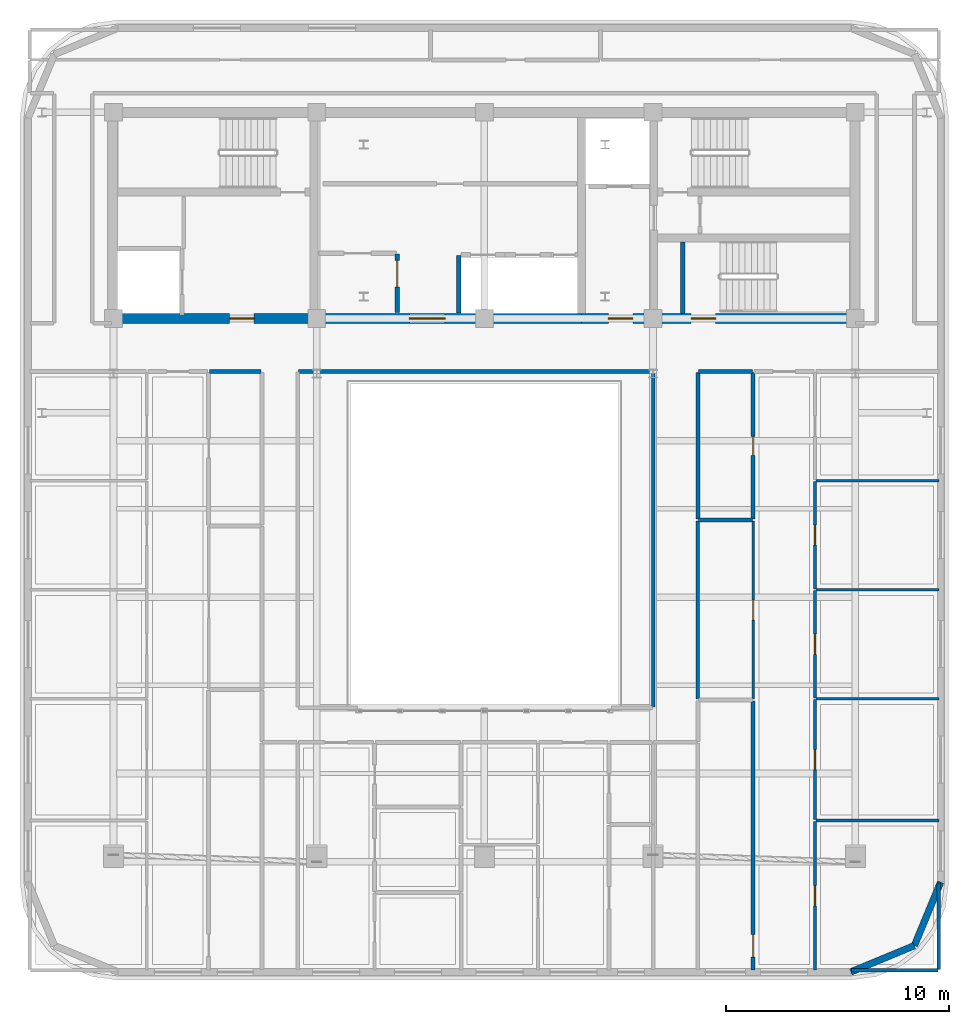
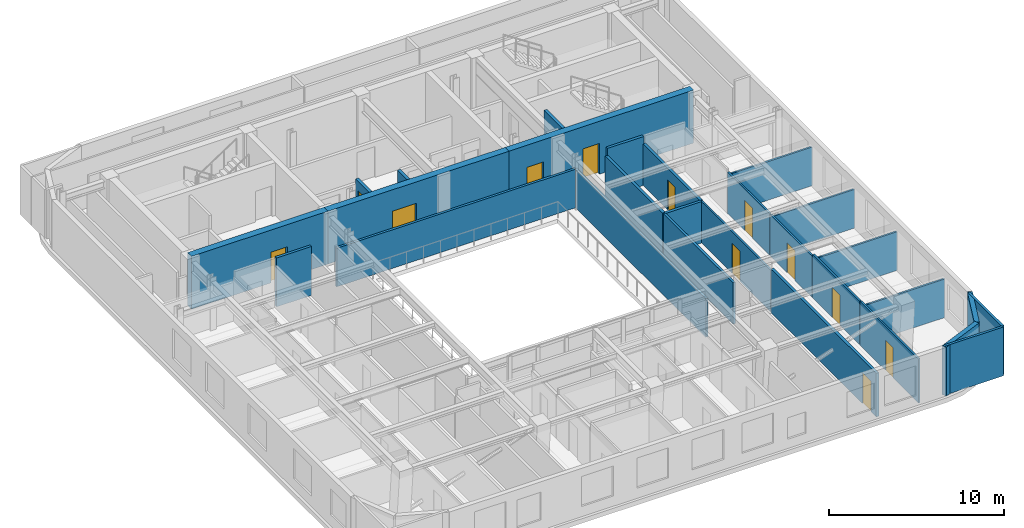
# One storey, part 8 of 13: 28 walls, 12 doors, 12 openings.
"""IFC4 building model written with IfcOpenShell, lengths in metres."""

import ifcopenshell
import ifcopenshell.guid

model = None  # the IFC model being written
_history = None  # IfcOwnerHistory: only IFC2X3 demands one
_inside = {}  # id of a spatial element -> (the spatial element, [elements in it])
_under = {}  # id of a project, library or spatial element -> (it, [spatial elements below it])
_declared = {}  # id of a project -> (the project, [libraries it declares])
_typed = {}  # id of a type object -> (the type object, [elements of that type])
_made_of = {}  # id of a material, layer set ... -> (it, [elements and type objects made of it])


def new_model(schema):
    """Start an empty IFC model of exactly this schema.

    Asked for "IFC4X3", IfcOpenShell would pick the latest addendum, in which some entities
    have other attributes; the version numbers below select the first issue.
    IFC2X3 requires an IfcOwnerHistory on every rooted entity: one is made here for all.
    """
    global model, _history
    if schema == "IFC4X3":
        model = ifcopenshell.file(schema_version=(4, 3, 0, 0))
    else:
        model = ifcopenshell.file(schema=schema)
    _inside.clear()
    _under.clear()
    _declared.clear()
    _typed.clear()
    _made_of.clear()
    _history = None
    if model.schema == "IFC2X3":
        org = make("IfcOrganization", Name="unknown")
        user = make(
            "IfcPersonAndOrganization",
            ThePerson=make("IfcPerson", FamilyName="unknown"),
            TheOrganization=org,
        )
        app = make(
            "IfcApplication",
            ApplicationDeveloper=org,
            Version="unknown",
            ApplicationFullName="unknown",
            ApplicationIdentifier="unknown",
        )
        _history = make(
            "IfcOwnerHistory",
            OwningUser=user,
            OwningApplication=app,
            ChangeAction="ADDED",
            CreationDate=0,
        )
    return model


def make(cls, **values):
    """One entity of the class cls with the attributes given. An attribute that is None is left unset."""
    return model.create_entity(
        cls, **{name: value for name, value in values.items() if value is not None}
    )


def rooted(cls, **values):
    """An entity with a GlobalId (a new one), such as an element, a storey or a relation."""
    return make(cls, GlobalId=ifcopenshell.guid.new(), OwnerHistory=_history, **values)


def si_unit(unit_type, name, prefix=None):
    """IfcSIUnit, for example si_unit("LENGTHUNIT", "METRE", prefix="MILLI")."""
    return make("IfcSIUnit", UnitType=unit_type, Prefix=prefix, Name=name)


def assignment(units):
    """IfcUnitAssignment: the units of a project."""
    return None if units is None else make("IfcUnitAssignment", Units=units)


def point(xyz):
    """IfcCartesianPoint."""
    return None if xyz is None else make("IfcCartesianPoint", Coordinates=xyz)


def direction(xyz):
    """IfcDirection."""
    return None if xyz is None else make("IfcDirection", DirectionRatios=xyz)


def frame(location, z_axis=None, x_axis=None):
    """IfcAxis2Placement3D, a coordinate frame: its origin and axes. An axis left out is left unset."""
    return make(
        "IfcAxis2Placement3D",
        Location=point(location),
        Axis=direction(z_axis),
        RefDirection=direction(x_axis),
    )


def frame_2d(location, x_axis=None):
    """IfcAxis2Placement2D, a coordinate frame in the plane: its origin and x axis."""
    return make(
        "IfcAxis2Placement2D", Location=point(location), RefDirection=direction(x_axis)
    )


def origin():
    """The frame at (0, 0, 0) with its axes left unset."""
    return frame((0.0, 0.0, 0.0))


def place(relative_to, where):
    """IfcLocalPlacement: puts the frame where relative to a parent placement (None: the world)."""
    return make(
        "IfcLocalPlacement", PlacementRelTo=relative_to, RelativePlacement=where
    )


def context(
    kind, dimensions, precision=None, world=None, true_north=None, identifier=None
):
    """IfcGeometricRepresentationContext, for example the 3D "Model" context."""
    return make(
        "IfcGeometricRepresentationContext",
        ContextIdentifier=identifier,
        ContextType=kind,
        CoordinateSpaceDimension=dimensions,
        Precision=precision,
        WorldCoordinateSystem=world,
        TrueNorth=true_north,
    )


def subcontext(parent, identifier, kind, view, scale=None):
    """IfcGeometricRepresentationSubContext, for example "Body" below "Model"."""
    return make(
        "IfcGeometricRepresentationSubContext",
        ContextIdentifier=identifier,
        ContextType=kind,
        ParentContext=parent,
        TargetScale=scale,
        TargetView=view,
    )


def project(units=None, contexts=None):
    """IfcProject with its units and contexts."""
    return rooted(
        "IfcProject",
        Name="project",
        RepresentationContexts=contexts,
        UnitsInContext=assignment(units),
    )


def spatial(cls, under=None, at=None, **own):
    """A site, building, storey or space (cls), placed at a placement, below another one or the project."""
    s = rooted(cls, ObjectPlacement=at, **own)
    if under is not None:
        _under.setdefault(under.id(), (under, []))[1].append(s)
    return s


def profile(cls, at=None, kind="AREA", **sizes):
    """A parametric profile (cls). Its sizes go by their IFC names, for example OverallWidth=200.0."""
    return make(cls, ProfileType=kind, Position=at, **sizes)


def rectangle(**sizes):
    """IfcRectangleProfileDef."""
    return profile("IfcRectangleProfileDef", **sizes)


def extrude(swept, where, along, depth):
    """IfcExtrudedAreaSolid: the profile swept, set in the frame where, extruded along a direction by depth."""
    return make(
        "IfcExtrudedAreaSolid",
        SweptArea=swept,
        Position=where,
        ExtrudedDirection=direction(along),
        Depth=depth,
    )


def shape(context_of_items, identifier, shape_type, items):
    """IfcShapeRepresentation: the items that make up one representation, for example the "Body"."""
    return make(
        "IfcShapeRepresentation",
        ContextOfItems=context_of_items,
        RepresentationIdentifier=identifier,
        RepresentationType=shape_type,
        Items=items,
    )


def material(Name=None, Category=None):
    """IfcMaterial."""
    return make("IfcMaterial", Name=Name, Category=Category)


def layer(
    of_material, thickness, ventilated=None, Name=None, Category=None, Priority=None
):
    """IfcMaterialLayer: one layer of a wall or slab, of a material (None: an air gap)."""
    return make(
        "IfcMaterialLayer",
        Material=of_material,
        LayerThickness=thickness,
        IsVentilated=ventilated,
        Name=Name,
        Category=Category,
        Priority=Priority,
    )


def layer_set(layers, Name=None):
    """IfcMaterialLayerSet."""
    return make("IfcMaterialLayerSet", MaterialLayers=layers, LayerSetName=Name)


def made_of(thing, what):
    """Note that an element or type object is made of a material, layer set ...; save() writes the relation."""
    if what is not None:
        _made_of.setdefault(what.id(), (what, []))[1].append(thing)
    return thing


def type_object(cls, material=None, **own):
    """A type object (cls), such as IfcWallType, which elements share."""
    return made_of(rooted(cls, **own), material)


def element(
    cls,
    number,
    at=None,
    inside=None,
    cuts=None,
    type_object=None,
    material=None,
    context=None,
    identifier="Body",
    shape_type=None,
    held_by="IfcProductDefinitionShape",
    body=None,
    shapes=None,
    **own,
):
    """One element of the class cls, such as IfcWall. Its Tag is "e" and its number.

    at: its placement. inside: the storey or other place that contains it. cuts: it is an
    opening in that element (IfcRelVoidsElement). A single representation is given by context,
    identifier, shape_type and body (its items); several are given by shapes. held_by: the class
    of the entity that holds the representations. save() writes the other relations.
    """
    e = rooted(cls, Tag="e%d" % number, ObjectPlacement=at, **own)
    if body is not None:
        shapes = [shape(context, identifier, shape_type, body)]
    if shapes is not None:
        e.Representation = make(held_by, Representations=shapes)
    if inside is not None:
        _inside.setdefault(inside.id(), (inside, []))[1].append(e)
    if cuts is not None:
        rooted(
            "IfcRelVoidsElement", RelatingBuildingElement=cuts, RelatedOpeningElement=e
        )
    if type_object is not None:
        _typed.setdefault(type_object.id(), (type_object, []))[1].append(e)
    return made_of(e, material)


def fill(opening, filler):
    """IfcRelFillsElement: the door or window that sits in an opening."""
    return rooted(
        "IfcRelFillsElement",
        RelatingOpeningElement=opening,
        RelatedBuildingElement=filler,
    )


def aggregate(whole, parts):
    """IfcRelAggregates: a whole, such as a stair, and the parts it consists of."""
    return rooted("IfcRelAggregates", RelatingObject=whole, RelatedObjects=parts)


def save(model, path):
    """Write the relations noted so far, then the file.

    IfcRelAggregates (storeys below a building ...), IfcRelContainedInSpatialStructure (elements
    in a storey), IfcRelDefinesByType, IfcRelAssociatesMaterial and IfcRelDeclares: one each for
    every whole, place, type object, material and project.
    """
    for whole, parts in _under.values():
        aggregate(whole, parts)
    for where, things in _inside.values():
        rooted(
            "IfcRelContainedInSpatialStructure",
            RelatedElements=things,
            RelatingStructure=where,
        )
    for kind, things in _typed.values():
        rooted("IfcRelDefinesByType", RelatedObjects=things, RelatingType=kind)
    for what, things in _made_of.values():
        rooted("IfcRelAssociatesMaterial", RelatedObjects=things, RelatingMaterial=what)
    for by, libraries in _declared.values():
        rooted("IfcRelDeclares", RelatingContext=by, RelatedDefinitions=libraries)
    model.write(path)


model = new_model("IFC4")

# Units and contexts
model_context = context("Model", 3, precision=1e-05, world=origin(), true_north=direction((0.0, 1.0)))
body_context = subcontext(model_context, "Body", "Model", "MODEL_VIEW")
ifc_project = project(units=[si_unit("LENGTHUNIT", "METRE"), si_unit("AREAUNIT", "SQUARE_METRE"), si_unit("VOLUMEUNIT", "CUBIC_METRE"), si_unit("PLANEANGLEUNIT", "RADIAN"), si_unit("MASSUNIT", "GRAM", prefix="KILO")], contexts=[model_context])

# Site, building, storey
site_placement = place(None, origin())
site = spatial("IfcSite", under=ifc_project, at=site_placement, CompositionType="ELEMENT")
building_placement = place(site_placement, origin())
building = spatial("IfcBuilding", under=site, at=building_placement, Name="Zarnavel Station Tower", CompositionType="ELEMENT")
storey_placement = place(building_placement, frame((0.0, 0.0, 247.300048828125)))
storey = spatial("IfcBuildingStorey", under=building, at=storey_placement, Name="L67", CompositionType="ELEMENT", Elevation=247.300048828125)

# Wall, opening, door
ifc_material_1 = material(Name="Concrete C50/60", Category="concrete")
ifc_layer_1 = layer(ifc_material_1, 0.449951171875)
ifc_layer_set_1 = layer_set([ifc_layer_1], Name="CW_450")
wall_type_1 = type_object("IfcWallType", Name="CW_450", PredefinedType="SHEAR", material=ifc_layer_set_1)
wall_1_placement = place(storey_placement, frame((21.179931640625, 27.820068359375, 0.0), z_axis=(0.0, 0.0, 1.0), x_axis=(-1.0, 0.0, 0.0)))
wall_1 = element("IfcWall", 1, at=wall_1_placement, inside=storey, type_object=wall_type_1, Name="L67 Rear Core Shear Wall S-W", PredefinedType="SHEAR", context=body_context, shape_type="SweptSolid", body=[
    extrude(rectangle(XDim=9.030029296875, YDim=0.449951171875, at=frame_2d((4.51513671875, 0.0))), origin(), (0.0, 0.0, 1.0), 3.699951171875),
])
opening_1_placement = place(wall_1_placement, frame((2.679931640625, 0.0, 0.0)))
opening_1 = element("IfcOpeningElement", 2, at=opening_1_placement, cuts=wall_1, Name="Opening FD01", PredefinedType="OPENING", context=body_context, shape_type="SweptSolid", body=[
    extrude(rectangle(XDim=1.10009765625, YDim=2.14990234375, at=frame_2d((0.550048828125, 1.074951171875))), frame((0.0, 0.23486328125, 0.0), z_axis=(0.0, -1.0, 0.0), x_axis=(1.0, 0.0, 0.0)), (0.0, 0.0, 1.0), 0.469970703125),
])
ifc_material_2 = material(Name="Painted Galvanised Steel and Hardwood Leaf", Category="steel")
door_type_1 = type_object("IfcDoorType", Name="ID_STAIR_1100", OperationType="NOTDEFINED", PredefinedType="DOOR", material=ifc_material_2)
door_1_placement = place(opening_1_placement, origin())
door_1 = element("IfcDoor", 3, at=door_1_placement, inside=storey, type_object=door_type_1, Name="L67 West Firefighting Lobby Door", OperationType="SINGLE_SWING_RIGHT", OverallHeight=2.14990234375, OverallWidth=1.10009765625, PredefinedType="DOOR", context=body_context, shape_type="SweptSolid", body=[
    extrude(rectangle(XDim=1.10009765625, YDim=2.14990234375, at=frame_2d((0.550048828125, 1.074951171875))), frame((0.0, 0.02490234375, 0.0), z_axis=(0.0, -1.0, 0.0), x_axis=(1.0, 0.0, 0.0)), (0.0, 0.0, 1.0), 0.050048828125),
])
fill(opening_1, door_1)

wall_2_placement = place(storey_placement, frame((33.14990234375, 27.820068359375, 0.0), z_axis=(0.0, 0.0, 1.0), x_axis=(-1.0, 0.0, 0.0)))
wall_2 = element("IfcWall", 4, at=wall_2_placement, inside=storey, type_object=wall_type_1, Name="L67 Rear Core Shear Wall S-M", PredefinedType="SHEAR", context=body_context, shape_type="SweptSolid", body=[
    extrude(rectangle(XDim=11.969970703125, YDim=0.449951171875, at=frame_2d((5.98486328125, 0.0))), origin(), (0.0, 0.0, 1.0), 3.699951171875),
])
opening_2_placement = place(wall_2_placement, frame((6.10009765625, 0.0, 0.0)))
opening_2 = element("IfcOpeningElement", 5, at=opening_2_placement, cuts=wall_2, Name="Opening ID03", PredefinedType="OPENING", context=body_context, shape_type="SweptSolid", body=[
    extrude(rectangle(XDim=1.60009765625, YDim=2.199951171875, at=frame_2d((0.800048828125, 1.10009765625))), frame((0.0, 0.23486328125, 0.0), z_axis=(0.0, -1.0, 0.0), x_axis=(1.0, 0.0, 0.0)), (0.0, 0.0, 1.0), 0.469970703125),
])
ifc_material_3 = material(Name="Painted Galvanised Steel and Hardwood Leaf", Category="steel")
door_type_2 = type_object("IfcDoorType", Name="ID_PUBLIC_1600", OperationType="DOUBLE_DOOR_SINGLE_SWING", PredefinedType="DOOR", material=ifc_material_3)
door_2_placement = place(opening_2_placement, origin())
door_2 = element("IfcDoor", 6, at=door_2_placement, inside=storey, type_object=door_type_2, Name="L67 Passenger Lift Lobby Double Door", OperationType="SINGLE_SWING_LEFT", OverallHeight=2.199951171875, OverallWidth=1.60009765625, PredefinedType="DOOR", context=body_context, shape_type="SweptSolid", body=[
    extrude(rectangle(XDim=1.60009765625, YDim=2.199951171875, at=frame_2d((0.800048828125, 1.10009765625))), frame((0.0, 0.02490234375, 0.0), z_axis=(0.0, -1.0, 0.0), x_axis=(1.0, 0.0, 0.0)), (0.0, 0.0, 1.0), 0.050048828125),
])
fill(opening_2, door_2)

# Wall, openings, doors
wall_3_placement = place(storey_placement, frame((45.3798828125, 27.820068359375, 0.0), z_axis=(0.0, 0.0, 1.0), x_axis=(-1.0, 0.0, 0.0)))
wall_3 = element("IfcWall", 7, at=wall_3_placement, inside=storey, type_object=wall_type_1, Name="L67 Rear Core Shear Wall S-E", PredefinedType="SHEAR", context=body_context, shape_type="SweptSolid", body=[
    extrude(rectangle(XDim=12.22998046875, YDim=0.449951171875, at=frame_2d((6.114990234375, 0.0))), origin(), (0.0, 0.0, 1.0), 3.699951171875),
])
opening_3_placement = place(wall_3_placement, frame((9.929931640625, 0.0, 0.0)))
opening_3 = element("IfcOpeningElement", 8, at=opening_3_placement, cuts=wall_3, Name="Opening FD01", PredefinedType="OPENING", context=body_context, shape_type="SweptSolid", body=[
    extrude(rectangle(XDim=1.10009765625, YDim=2.14990234375, at=frame_2d((0.550048828125, 1.074951171875))), frame((0.0, 0.23486328125, 0.0), z_axis=(0.0, -1.0, 0.0), x_axis=(1.0, 0.0, 0.0)), (0.0, 0.0, 1.0), 0.469970703125),
])
opening_4_placement = place(wall_3_placement, frame((6.22998046875, 0.0, 0.0)))
opening_4 = element("IfcOpeningElement", 9, at=opening_4_placement, cuts=wall_3, Name="Opening FD01", PredefinedType="OPENING", context=body_context, shape_type="SweptSolid", body=[
    extrude(rectangle(XDim=1.10009765625, YDim=2.14990234375, at=frame_2d((0.550048828125, 1.074951171875))), frame((0.0, 0.23486328125, 0.0), z_axis=(0.0, -1.0, 0.0), x_axis=(1.0, 0.0, 0.0)), (0.0, 0.0, 1.0), 0.469970703125),
])
door_3_placement = place(opening_3_placement, origin())
door_3 = element("IfcDoor", 10, at=door_3_placement, inside=storey, type_object=door_type_1, Name="L67 East Firefighting Lobby Door", OperationType="SINGLE_SWING_LEFT", OverallHeight=2.14990234375, OverallWidth=1.10009765625, PredefinedType="DOOR", context=body_context, shape_type="SweptSolid", body=[
    extrude(rectangle(XDim=1.10009765625, YDim=2.14990234375, at=frame_2d((0.550048828125, 1.074951171875))), frame((0.0, 0.02490234375, 0.0), z_axis=(0.0, -1.0, 0.0), x_axis=(1.0, 0.0, 0.0)), (0.0, 0.0, 1.0), 0.050048828125),
])
fill(opening_3, door_3)
door_4_placement = place(opening_4_placement, origin())
door_4 = element("IfcDoor", 11, at=door_4_placement, inside=storey, type_object=door_type_1, Name="L67 Stair ST3 Corridor Fire Door", OperationType="SINGLE_SWING_RIGHT", OverallHeight=2.14990234375, OverallWidth=1.10009765625, PredefinedType="DOOR", context=body_context, shape_type="SweptSolid", body=[
    extrude(rectangle(XDim=1.10009765625, YDim=2.14990234375, at=frame_2d((0.550048828125, 1.074951171875))), frame((0.0, 0.02490234375, 0.0), z_axis=(0.0, -1.0, 0.0), x_axis=(1.0, 0.0, 0.0)), (0.0, 0.0, 1.0), 0.050048828125),
])
fill(opening_4, door_4)

# Walls
ifc_material_4 = material(Name="Precast concrete C45/55 (Dark Basalt Finish)", Category="masonry")
ifc_layer_2 = layer(ifc_material_4, 0.300048828125)
ifc_layer_set_2 = layer_set([ifc_layer_2], Name="EW_BASALT_300")
wall_type_2 = type_object("IfcWallType", Name="EW_BASALT_300", PredefinedType="SOLIDWALL", material=ifc_layer_set_2)
wall_4_placement = place(storey_placement, frame((48.04248046875, -0.24267578125, 0.0), z_axis=(0.0, 0.0, 1.0), x_axis=(-0.92389884758, -0.382636798336, 0.0)))
element("IfcWall", 12, at=wall_4_placement, inside=storey, type_object=wall_type_2, Name="L67 Exterior Basalt Masonry Frame Wall 01", PredefinedType="SOLIDWALL", context=body_context, shape_type="SweptSolid", body=[
    extrude(rectangle(XDim=3.07666015625, YDim=0.300048828125, at=frame_2d((1.538330078125, 0.0))), origin(), (0.0, 0.0, 1.0), 3.419921875),
])
wall_5_placement = place(storey_placement, frame((49.219970703125, 2.60009765625, 0.0), z_axis=(0.0, 0.0, 1.0), x_axis=(-0.382676475685, -0.923882414032, 0.0)))
element("IfcWall", 13, at=wall_5_placement, inside=storey, type_object=wall_type_2, Name="L67 Exterior Basalt Masonry Frame Wall 02", PredefinedType="SOLIDWALL", context=body_context, shape_type="SweptSolid", body=[
    extrude(rectangle(XDim=3.076904296875, YDim=0.300048828125, at=frame_2d((1.53857421875, 0.0))), origin(), (0.0, 0.0, 1.0), 3.419921875),
])
ifc_material_5 = material(Name="Gypsum Twin-Stud Acoustic Fire Partition", Category="concrete")
ifc_layer_3 = layer(ifc_material_5, 0.159912109375)
ifc_layer_set_3 = layer_set([ifc_layer_3], Name="PT_DEMISE_160")
wall_type_3 = type_object("IfcWallType", Name="PT_DEMISE_160", PredefinedType="PARTITIONING", material=ifc_layer_set_3)
wall_6_placement = place(storey_placement, frame((38.35009765625, 10.787109375, 0.0), z_axis=(0.0, 0.0, 1.0), x_axis=(0.0, 1.0, 0.0)))
element("IfcWall", 14, at=wall_6_placement, inside=storey, type_object=wall_type_3, Name="L67 Partition COR-AE-UE1UT", PredefinedType="PARTITIONING", context=body_context, shape_type="SweptSolid", body=[
    extrude(rectangle(XDim=7.974853515625, YDim=0.159912109375, at=frame_2d((3.9873046875, 0.0))), origin(), (0.0, 0.0, 1.0), 2.89990234375),
])
wall_7_placement = place(storey_placement, frame((20.47998046875, 25.449951171875, 0.0), z_axis=(0.0, 0.0, 1.0), x_axis=(1.0, 0.0, 0.0)))
element("IfcWall", 15, at=wall_7_placement, inside=storey, type_object=wall_type_3, Name="L67 Enclosure Wall COR-S", PredefinedType="PARTITIONING", context=body_context, shape_type="SweptSolid", body=[
    extrude(rectangle(XDim=15.840087890625, YDim=0.159912109375, at=frame_2d((7.919921875, 0.0))), origin(), (0.0, 0.0, 1.0), 2.699951171875),
])
wall_8_placement = place(storey_placement, frame((36.35009765625, 10.429931640625, 0.0), z_axis=(0.0, 0.0, 1.0), x_axis=(0.0, 1.0, 0.0)))
element("IfcWall", 16, at=wall_8_placement, inside=storey, type_object=wall_type_3, Name="L67 Enclosure Wall COR-AE", PredefinedType="PARTITIONING", context=body_context, shape_type="SweptSolid", body=[
    extrude(rectangle(XDim=14.989990234375, YDim=0.159912109375, at=frame_2d((7.4951171875, 0.0))), origin(), (0.0, 0.0, 1.0), 2.699951171875),
])
for number, where, z_axis, x_axis, name in (
    (17, (45.22998046875, -1.340087890625, 0.0), (0.0, 0.0, 1.0), (1.0, 0.0, 0.0), "L67 Enclosure Wall UE1B1"),
    (18, (49.139892578125, -1.31005859375, 0.0), (0.0, 0.0, 1.0), (0.0, 1.0, 0.0), "L67 Enclosure Wall UE1B1"),
):
    element("IfcWall", number, at=place(storey_placement, frame(where, z_axis=z_axis, x_axis=x_axis)), inside=storey, type_object=wall_type_3, Name=name, PredefinedType="PARTITIONING", context=body_context, shape_type="SweptSolid", body=[
        extrude(rectangle(XDim=3.880126953125, YDim=0.159912109375, at=frame_2d((1.93994140625, 0.0))), origin(), (0.0, 0.0, 1.0), 3.419921875),
    ])

# Wall, opening, door
ifc_material_6 = material(Name="Gypsum Metal-Stud Interior Partition", Category="concrete")
ifc_layer_4 = layer(ifc_material_6, 0.1201171875)
ifc_layer_set_4 = layer_set([ifc_layer_4], Name="PT_ROOM_120")
wall_type_4 = type_object("IfcWallType", Name="PT_ROOM_120", PredefinedType="PARTITIONING", material=ifc_layer_set_4)
wall_9_placement = place(storey_placement, frame((40.83203125, 10.787109375, 0.0), z_axis=(0.0, 0.0, 1.0), x_axis=(0.0, 1.0, 0.0)))
wall_9 = element("IfcWall", 19, at=wall_9_placement, inside=storey, type_object=wall_type_4, Name="L67 Partition UE1LV-UE1UT", PredefinedType="PARTITIONING", context=body_context, shape_type="SweptSolid", body=[
    extrude(rectangle(XDim=7.974853515625, YDim=0.1201171875, at=frame_2d((3.9873046875, 0.0))), origin(), (0.0, 0.0, 1.0), 2.89990234375),
])
opening_5_placement = place(wall_9_placement, frame((3.53759765625, 0.0, 0.0)))
opening_5 = element("IfcOpeningElement", 20, at=opening_5_placement, cuts=wall_9, Name="Opening ID01", PredefinedType="OPENING", context=body_context, shape_type="SweptSolid", body=[
    extrude(rectangle(XDim=0.89990234375, YDim=2.10009765625, at=frame_2d((0.449951171875, 1.050048828125))), frame((0.0, 0.070068359375, 0.0), z_axis=(0.0, -1.0, 0.0), x_axis=(1.0, 0.0, 0.0)), (0.0, 0.0, 1.0), 0.14013671875),
])
ifc_material_7 = material(Name="Painted Galvanised Steel and Hardwood Leaf", Category="steel")
door_type_3 = type_object("IfcDoorType", Name="ID_ROOM_900", OperationType="NOTDEFINED", PredefinedType="DOOR", material=ifc_material_7)
door_5_placement = place(opening_5_placement, origin())
door_5 = element("IfcDoor", 21, at=door_5_placement, inside=storey, type_object=door_type_3, Name="L67 Door UE1LV-UE1UT", OperationType="SINGLE_SWING_RIGHT", OverallHeight=2.10009765625, OverallWidth=0.89990234375, PredefinedType="DOOR", context=body_context, shape_type="SweptSolid", body=[
    extrude(rectangle(XDim=0.89990234375, YDim=2.10009765625, at=frame_2d((0.449951171875, 1.050048828125))), frame((0.0, 0.02490234375, 0.0), z_axis=(0.0, -1.0, 0.0), x_axis=(1.0, 0.0, 0.0)), (0.0, 0.0, 1.0), 0.050048828125),
])
fill(opening_5, door_5)

wall_10_placement = place(storey_placement, frame((43.593994140625, -1.340087890625, 0.0), z_axis=(0.0, 0.0, 1.0), x_axis=(0.0, 1.0, 0.0)))
wall_10 = element("IfcWall", 22, at=wall_10_placement, inside=storey, type_object=wall_type_4, Name="L67 Partition UE1LV-UE1B1", PredefinedType="PARTITIONING", context=body_context, shape_type="SweptSolid", body=[
    extrude(rectangle(XDim=6.656982421875, YDim=0.1201171875, at=frame_2d((3.32861328125, 0.0))), origin(), (0.0, 0.0, 1.0), 3.079833984375),
])
opening_6_placement = place(wall_10_placement, frame((2.87841796875, 0.0, 0.0)))
opening_6 = element("IfcOpeningElement", 23, at=opening_6_placement, cuts=wall_10, Name="Opening ID01", PredefinedType="OPENING", context=body_context, shape_type="SweptSolid", body=[
    extrude(rectangle(XDim=0.89990234375, YDim=2.10009765625, at=frame_2d((0.449951171875, 1.050048828125))), frame((0.0, 0.070068359375, 0.0), z_axis=(0.0, -1.0, 0.0), x_axis=(1.0, 0.0, 0.0)), (0.0, 0.0, 1.0), 0.14013671875),
])
door_6_placement = place(opening_6_placement, origin())
door_6 = element("IfcDoor", 24, at=door_6_placement, inside=storey, type_object=door_type_3, Name="L67 Door UE1LV-UE1B1", OperationType="SINGLE_SWING_RIGHT", OverallHeight=2.10009765625, OverallWidth=0.89990234375, PredefinedType="DOOR", context=body_context, shape_type="SweptSolid", body=[
    extrude(rectangle(XDim=0.89990234375, YDim=2.10009765625, at=frame_2d((0.449951171875, 1.050048828125))), frame((0.0, 0.02490234375, 0.0), z_axis=(0.0, -1.0, 0.0), x_axis=(1.0, 0.0, 0.0)), (0.0, 0.0, 1.0), 0.050048828125),
])
fill(opening_6, door_6)

wall_11_placement = place(storey_placement, frame((43.593994140625, 5.39697265625, 0.0), z_axis=(0.0, 0.0, 1.0), x_axis=(0.0, 1.0, 0.0)))
wall_11 = element("IfcWall", 25, at=wall_11_placement, inside=storey, type_object=wall_type_4, Name="L67 Partition UE1LV-UE1B2", PredefinedType="PARTITIONING", context=body_context, shape_type="SweptSolid", body=[
    extrude(rectangle(XDim=5.369140625, YDim=0.1201171875, at=frame_2d((2.6845703125, 0.0))), origin(), (0.0, 0.0, 1.0), 3.050048828125),
])
opening_7_placement = place(wall_11_placement, frame((2.234619140625, 0.0, 0.0)))
opening_7 = element("IfcOpeningElement", 26, at=opening_7_placement, cuts=wall_11, Name="Opening ID01", PredefinedType="OPENING", context=body_context, shape_type="SweptSolid", body=[
    extrude(rectangle(XDim=0.89990234375, YDim=2.10009765625, at=frame_2d((0.449951171875, 1.050048828125))), frame((0.0, 0.070068359375, 0.0), z_axis=(0.0, -1.0, 0.0), x_axis=(1.0, 0.0, 0.0)), (0.0, 0.0, 1.0), 0.14013671875),
])
door_7_placement = place(opening_7_placement, origin())
door_7 = element("IfcDoor", 27, at=door_7_placement, inside=storey, type_object=door_type_3, Name="L67 Door UE1LV-UE1B2", OperationType="SINGLE_SWING_LEFT", OverallHeight=2.10009765625, OverallWidth=0.89990234375, PredefinedType="DOOR", context=body_context, shape_type="SweptSolid", body=[
    extrude(rectangle(XDim=0.89990234375, YDim=2.10009765625, at=frame_2d((0.449951171875, 1.050048828125))), frame((0.0, 0.02490234375, 0.0), z_axis=(0.0, -1.0, 0.0), x_axis=(1.0, 0.0, 0.0)), (0.0, 0.0, 1.0), 0.050048828125),
])
fill(opening_7, door_7)

wall_12_placement = place(storey_placement, frame((43.593994140625, 10.845947265625, 0.0), z_axis=(0.0, 0.0, 1.0), x_axis=(0.0, 1.0, 0.0)))
wall_12 = element("IfcWall", 28, at=wall_12_placement, inside=storey, type_object=wall_type_4, Name="L67 Partition UE1LV-UE1B3", PredefinedType="PARTITIONING", context=body_context, shape_type="SweptSolid", body=[
    extrude(rectangle(XDim=4.801025390625, YDim=0.1201171875, at=frame_2d((2.400390625, 0.0))), origin(), (0.0, 0.0, 1.0), 2.89990234375),
])
opening_8_placement = place(wall_12_placement, frame((1.950439453125, 0.0, 0.0)))
opening_8 = element("IfcOpeningElement", 29, at=opening_8_placement, cuts=wall_12, Name="Opening ID01", PredefinedType="OPENING", context=body_context, shape_type="SweptSolid", body=[
    extrude(rectangle(XDim=0.89990234375, YDim=2.10009765625, at=frame_2d((0.449951171875, 1.050048828125))), frame((0.0, 0.070068359375, 0.0), z_axis=(0.0, -1.0, 0.0), x_axis=(1.0, 0.0, 0.0)), (0.0, 0.0, 1.0), 0.14013671875),
])
door_8_placement = place(opening_8_placement, origin())
door_8 = element("IfcDoor", 30, at=door_8_placement, inside=storey, type_object=door_type_3, Name="L67 Door UE1LV-UE1B3", OperationType="SINGLE_SWING_RIGHT", OverallHeight=2.10009765625, OverallWidth=0.89990234375, PredefinedType="DOOR", context=body_context, shape_type="SweptSolid", body=[
    extrude(rectangle(XDim=0.89990234375, YDim=2.10009765625, at=frame_2d((0.449951171875, 1.050048828125))), frame((0.0, 0.02490234375, 0.0), z_axis=(0.0, -1.0, 0.0), x_axis=(1.0, 0.0, 0.0)), (0.0, 0.0, 1.0), 0.050048828125),
])
fill(opening_8, door_8)

wall_13_placement = place(storey_placement, frame((43.593994140625, 15.72705078125, 0.0), z_axis=(0.0, 0.0, 1.0), x_axis=(0.0, 1.0, 0.0)))
wall_13 = element("IfcWall", 31, at=wall_13_placement, inside=storey, type_object=wall_type_4, Name="L67 Partition UE1LV-UE1B4", PredefinedType="PARTITIONING", context=body_context, shape_type="SweptSolid", body=[
    extrude(rectangle(XDim=4.801025390625, YDim=0.1201171875, at=frame_2d((2.400390625, 0.0))), origin(), (0.0, 0.0, 1.0), 2.89990234375),
])
opening_9_placement = place(wall_13_placement, frame((1.950439453125, 0.0, 0.0)))
opening_9 = element("IfcOpeningElement", 32, at=opening_9_placement, cuts=wall_13, Name="Opening ID01", PredefinedType="OPENING", context=body_context, shape_type="SweptSolid", body=[
    extrude(rectangle(XDim=0.89990234375, YDim=2.10009765625, at=frame_2d((0.449951171875, 1.050048828125))), frame((0.0, 0.070068359375, 0.0), z_axis=(0.0, -1.0, 0.0), x_axis=(1.0, 0.0, 0.0)), (0.0, 0.0, 1.0), 0.14013671875),
])
door_9_placement = place(opening_9_placement, origin())
door_9 = element("IfcDoor", 33, at=door_9_placement, inside=storey, type_object=door_type_3, Name="L67 Door UE1LV-UE1B4", OperationType="SINGLE_SWING_LEFT", OverallHeight=2.10009765625, OverallWidth=0.89990234375, PredefinedType="DOOR", context=body_context, shape_type="SweptSolid", body=[
    extrude(rectangle(XDim=0.89990234375, YDim=2.10009765625, at=frame_2d((0.449951171875, 1.050048828125))), frame((0.0, 0.02490234375, 0.0), z_axis=(0.0, -1.0, 0.0), x_axis=(1.0, 0.0, 0.0)), (0.0, 0.0, 1.0), 0.050048828125),
])
fill(opening_9, door_9)

# Walls
for number, where, z_axis, x_axis, name in (
    (34, (43.634033203125, 5.35693359375, 0.0), (0.0, 0.0, 1.0), (1.0, 0.0, 0.0), "L67 Partition UE1B1-UE1B2"),
    (35, (43.634033203125, 10.805908203125, 0.0), (0.0, 0.0, 1.0), (1.0, 0.0, 0.0), "L67 Partition UE1B2-UE1B3"),
    (36, (43.634033203125, 15.68701171875, 0.0), (0.0, 0.0, 1.0), (1.0, 0.0, 0.0), "L67 Partition UE1B3-UE1B4"),
    (37, (43.634033203125, 20.568115234375, 0.0), (0.0, 0.0, 1.0), (1.0, 0.0, 0.0), "L67 Partition UE1B4-UE1B5"),
):
    element("IfcWall", number, at=place(storey_placement, frame(where, z_axis=z_axis, x_axis=x_axis)), inside=storey, type_object=wall_type_4, Name=name, PredefinedType="PARTITIONING", context=body_context, shape_type="SweptSolid", body=[
        extrude(rectangle(XDim=5.505859375, YDim=0.1201171875, at=frame_2d((2.7529296875, 0.0))), origin(), (0.0, 0.0, 1.0), 2.699951171875),
    ])
ifc_material_8 = material(Name="Precast concrete C45/55 (Fire Shaft Blockwork)", Category="masonry")
ifc_layer_5 = layer(ifc_material_8, 0.199951171875)
ifc_layer_set_5 = layer_set([ifc_layer_5], Name="PT_SHAFT_200")
wall_type_5 = type_object("IfcWallType", Name="PT_SHAFT_200", PredefinedType="PARTITIONING", material=ifc_layer_set_5)
wall_14_placement = place(storey_placement, frame((27.64990234375, 28.070068359375, 0.0), z_axis=(0.0, 0.0, 1.0), x_axis=(0.0, 1.0, 0.0)))
element("IfcWall", 38, at=wall_14_placement, inside=storey, type_object=wall_type_5, Name="L67 High-Rise Lift Bank West Shaft Wall", PredefinedType="PARTITIONING", context=body_context, shape_type="SweptSolid", body=[
    extrude(rectangle(XDim=2.579833984375, YDim=0.199951171875, at=frame_2d((1.2900390625, 0.0))), origin(), (0.0, 0.0, 1.0), 2.489990234375),
])
wall_15_placement = place(storey_placement, frame((37.679931640625, 28.044921875, 0.0), z_axis=(0.0, 0.0, 1.0), x_axis=(0.0, 1.0, 0.0)))
element("IfcWall", 39, at=wall_15_placement, inside=storey, type_object=wall_type_5, Name="L67 Stair ST3 West Shaft Wall", PredefinedType="PARTITIONING", context=body_context, shape_type="SweptSolid", body=[
    extrude(rectangle(XDim=3.205078125, YDim=0.199951171875, at=frame_2d((1.6025390625, 0.0))), origin(), (0.0, 0.0, 1.0), 2.800048828125),
])

# Wall, opening, door
wall_16_placement = place(storey_placement, frame((24.89990234375, 28.090087890625, 0.0), z_axis=(0.0, 0.0, 1.0), x_axis=(0.0, 1.0, 0.0)))
wall_16 = element("IfcWall", 40, at=wall_16_placement, inside=storey, type_object=wall_type_5, Name="L67 Partition LLOBS-CS1", PredefinedType="PARTITIONING", context=body_context, shape_type="SweptSolid", body=[
    extrude(rectangle(XDim=2.619873046875, YDim=0.199951171875, at=frame_2d((1.31005859375, 0.0))), origin(), (0.0, 0.0, 1.0), 2.800048828125),
])
opening_10_placement = place(wall_16_placement, frame((1.137451171875, 0.0, 0.0)))
opening_10 = element("IfcOpeningElement", 41, at=opening_10_placement, cuts=wall_16, Name="Opening FD03", PredefinedType="OPENING", context=body_context, shape_type="SweptSolid", body=[
    extrude(rectangle(XDim=1.199951171875, YDim=2.14990234375, at=frame_2d((0.60009765625, 1.074951171875))), frame((0.0, 0.10986328125, 0.0), z_axis=(0.0, -1.0, 0.0), x_axis=(1.0, 0.0, 0.0)), (0.0, 0.0, 1.0), 0.219970703125),
])
ifc_material_9 = material(Name="Painted Galvanised Steel and Hardwood Leaf", Category="steel")
door_type_4 = type_object("IfcDoorType", Name="ID_PLANT_1200", OperationType="NOTDEFINED", PredefinedType="DOOR", material=ifc_material_9)
door_10_placement = place(opening_10_placement, origin())
door_10 = element("IfcDoor", 42, at=door_10_placement, inside=storey, type_object=door_type_4, Name="L67 Door LLOBS-CS1", OperationType="SINGLE_SWING_RIGHT", OverallHeight=2.14990234375, OverallWidth=1.199951171875, PredefinedType="DOOR", context=body_context, shape_type="SweptSolid", body=[
    extrude(rectangle(XDim=1.199951171875, YDim=2.14990234375, at=frame_2d((0.60009765625, 1.074951171875))), frame((0.0, 0.02490234375, 0.0), z_axis=(0.0, -1.0, 0.0), x_axis=(1.0, 0.0, 0.0)), (0.0, 0.0, 1.0), 0.050048828125),
])
fill(opening_10, door_10)

# Walls
ifc_material_10 = material(Name="Moisture-Resistant Plumbing Chase Wall", Category="concrete")
ifc_layer_6 = layer(ifc_material_10, 0.179931640625)
ifc_layer_set_6 = layer_set([ifc_layer_6], Name="PW_PLUMB_180")
wall_type_6 = type_object("IfcWallType", Name="PW_PLUMB_180", PredefinedType="PLUMBINGWALL", material=ifc_layer_set_6)
wall_17_placement = place(storey_placement, frame((16.5, 25.449951171875, 0.0), z_axis=(0.0, 0.0, 1.0), x_axis=(1.0, 0.0, 0.0)))
element("IfcWall", 43, at=wall_17_placement, inside=storey, type_object=wall_type_6, Name="L67 Partition COR-S-UW1BA", PredefinedType="PLUMBINGWALL", context=body_context, shape_type="SweptSolid", body=[
    extrude(rectangle(XDim=2.31005859375, YDim=0.179931640625, at=frame_2d((1.155029296875, 0.0))), origin(), (0.0, 0.0, 1.0), 3.419921875),
])
wall_18_placement = place(storey_placement, frame((38.389892578125, 25.449951171875, 0.0), z_axis=(0.0, 0.0, 1.0), x_axis=(1.0, 0.0, 0.0)))
element("IfcWall", 44, at=wall_18_placement, inside=storey, type_object=wall_type_6, Name="L67 Partition COR-S-UE1BA", PredefinedType="PLUMBINGWALL", context=body_context, shape_type="SweptSolid", body=[
    extrude(rectangle(XDim=2.402099609375, YDim=0.179931640625, at=frame_2d((1.201171875, 0.0))), origin(), (0.0, 0.0, 1.0), 3.419921875),
])
wall_19_placement = place(storey_placement, frame((38.35009765625, 18.842041015625, 0.0), z_axis=(0.0, 0.0, 1.0), x_axis=(0.0, 1.0, 0.0)))
element("IfcWall", 45, at=wall_19_placement, inside=storey, type_object=wall_type_6, Name="L67 Partition COR-AE-UE1BA", PredefinedType="PLUMBINGWALL", context=body_context, shape_type="SweptSolid", body=[
    extrude(rectangle(XDim=6.56787109375, YDim=0.179931640625, at=frame_2d((3.283935546875, 0.0))), origin(), (0.0, 0.0, 1.0), 2.89990234375),
])

# Wall, opening, door
wall_20_placement = place(storey_placement, frame((40.83203125, -1.340087890625, 0.0), z_axis=(0.0, 0.0, 1.0), x_axis=(0.0, 1.0, 0.0)))
wall_20 = element("IfcWall", 46, at=wall_20_placement, inside=storey, type_object=wall_type_6, Name="L67 Partition UE1LV-UE1KT", PredefinedType="PLUMBINGWALL", context=body_context, shape_type="SweptSolid", body=[
    extrude(rectangle(XDim=12.047119140625, YDim=0.179931640625, at=frame_2d((6.0234375, 0.0))), origin(), (0.0, 0.0, 1.0), 3.050048828125),
])
opening_11_placement = place(wall_20_placement, frame((0.588623046875, 0.0, 0.0)))
opening_11 = element("IfcOpeningElement", 47, at=opening_11_placement, cuts=wall_20, Name="Opening FD02", PredefinedType="OPENING", context=body_context, shape_type="SweptSolid", body=[
    extrude(rectangle(XDim=1.0, YDim=2.14990234375, at=frame_2d((0.5, 1.074951171875))), frame((0.0, 0.099853515625, 0.0), z_axis=(0.0, -1.0, 0.0), x_axis=(1.0, 0.0, 0.0)), (0.0, 0.0, 1.0), 0.199951171875),
])
ifc_material_11 = material(Name="Painted Galvanised Steel and Hardwood Leaf", Category="steel")
door_type_5 = type_object("IfcDoorType", Name="ID_ENTRY_1000", OperationType="NOTDEFINED", PredefinedType="DOOR", material=ifc_material_11)
door_11_placement = place(opening_11_placement, origin())
door_11 = element("IfcDoor", 48, at=door_11_placement, inside=storey, type_object=door_type_5, Name="L67 Door UE1LV-UE1KT", OperationType="SINGLE_SWING_LEFT", OverallHeight=2.14990234375, OverallWidth=1.0, PredefinedType="DOOR", context=body_context, shape_type="SweptSolid", body=[
    extrude(rectangle(XDim=1.0, YDim=2.14990234375, at=frame_2d((0.5, 1.074951171875))), frame((0.0, 0.02490234375, 0.0), z_axis=(0.0, -1.0, 0.0), x_axis=(1.0, 0.0, 0.0)), (0.0, 0.0, 1.0), 0.050048828125),
])
fill(opening_11, door_11)

wall_21_placement = place(storey_placement, frame((40.83203125, 18.842041015625, 0.0), z_axis=(0.0, 0.0, 1.0), x_axis=(0.0, 1.0, 0.0)))
wall_21 = element("IfcWall", 49, at=wall_21_placement, inside=storey, type_object=wall_type_6, Name="L67 Partition UE1LV-UE1BA", PredefinedType="PLUMBINGWALL", context=body_context, shape_type="SweptSolid", body=[
    extrude(rectangle(XDim=6.56787109375, YDim=0.179931640625, at=frame_2d((3.283935546875, 0.0))), origin(), (0.0, 0.0, 1.0), 2.89990234375),
])
opening_12_placement = place(wall_21_placement, frame((2.85888671875, 0.0, 0.0)))
opening_12 = element("IfcOpeningElement", 50, at=opening_12_placement, cuts=wall_21, Name="Opening ID02", PredefinedType="OPENING", context=body_context, shape_type="SweptSolid", body=[
    extrude(rectangle(XDim=0.85009765625, YDim=2.10009765625, at=frame_2d((0.425048828125, 1.050048828125))), frame((0.0, 0.099853515625, 0.0), z_axis=(0.0, -1.0, 0.0), x_axis=(1.0, 0.0, 0.0)), (0.0, 0.0, 1.0), 0.199951171875),
])
ifc_material_12 = material(Name="Painted Galvanised Steel and Hardwood Leaf", Category="steel")
door_type_6 = type_object("IfcDoorType", Name="ID_BATH_850", OperationType="NOTDEFINED", PredefinedType="DOOR", material=ifc_material_12)
door_12_placement = place(opening_12_placement, origin())
door_12 = element("IfcDoor", 51, at=door_12_placement, inside=storey, type_object=door_type_6, Name="L67 Door UE1LV-UE1BA", OperationType="SINGLE_SWING_LEFT", OverallHeight=2.10009765625, OverallWidth=0.85009765625, PredefinedType="DOOR", context=body_context, shape_type="SweptSolid", body=[
    extrude(rectangle(XDim=0.85009765625, YDim=2.10009765625, at=frame_2d((0.425048828125, 1.050048828125))), frame((0.0, 0.02490234375, 0.0), z_axis=(0.0, -1.0, 0.0), x_axis=(1.0, 0.0, 0.0)), (0.0, 0.0, 1.0), 0.050048828125),
])
fill(opening_12, door_12)

# Wall
wall_22_placement = place(storey_placement, frame((38.389892578125, 18.802001953125, 0.0), z_axis=(0.0, 0.0, 1.0), x_axis=(1.0, 0.0, 0.0)))
element("IfcWall", 52, at=wall_22_placement, inside=storey, type_object=wall_type_6, Name="L67 Partition UE1UT-UE1BA", PredefinedType="PLUMBINGWALL", context=body_context, shape_type="SweptSolid", body=[
    extrude(rectangle(XDim=2.402099609375, YDim=0.179931640625, at=frame_2d((1.201171875, 0.0))), origin(), (0.0, 0.0, 1.0), 2.89990234375),
])

save(model, "model.ifc")
